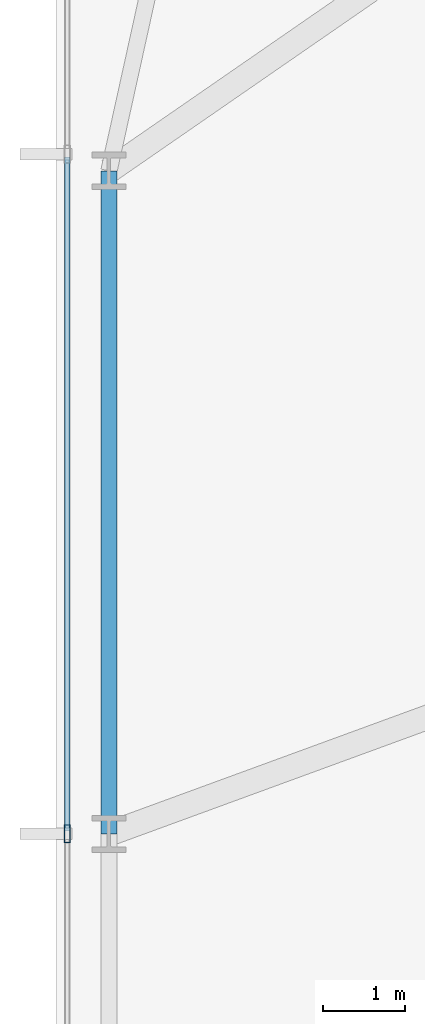
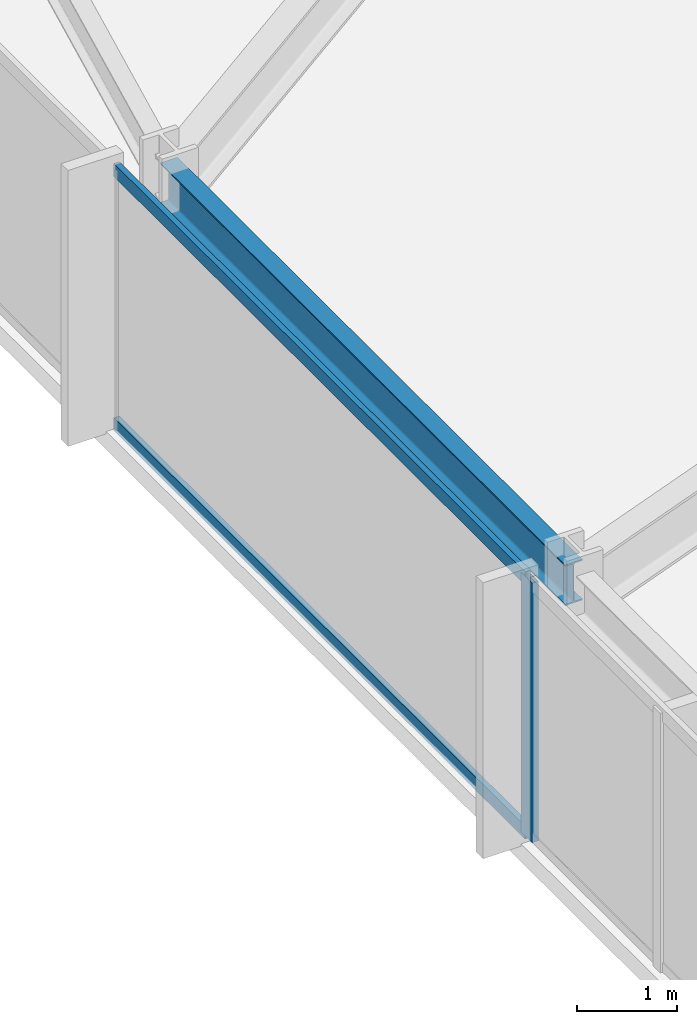
# One storey, part 7 of 33: 3 members, 1 beam, 1 element without a shape of its own.
"""IFC4 building model written with IfcOpenShell, lengths in metres."""

from ifc_helpers import new_model, si_unit, direction, frame, origin, origin_2d, place, context, subcontext, project, spatial, hollow_rectangle, i_section, extrude, material, material_profile, profile_set, type_object, element, aggregate, save


model = new_model("IFC4")

# Units and contexts
model_context = context("Model", 3, precision=1e-05, world=origin(), true_north=direction((0.0, 1.0)))
body_context = subcontext(model_context, "Body", "Model", "MODEL_VIEW")
ifc_project = project(units=[si_unit("LENGTHUNIT", "METRE"), si_unit("AREAUNIT", "SQUARE_METRE"), si_unit("VOLUMEUNIT", "CUBIC_METRE"), si_unit("PLANEANGLEUNIT", "RADIAN"), si_unit("MASSUNIT", "GRAM", prefix="KILO")], contexts=[model_context])

# Site, building, storey
site_placement = place(None, origin())
site = spatial("IfcSite", under=ifc_project, at=site_placement, CompositionType="ELEMENT")
building_placement = place(site_placement, origin())
building = spatial("IfcBuilding", under=site, at=building_placement, Name="Yelkora Congress Tower", CompositionType="ELEMENT")
storey_placement = place(building_placement, frame((0.0, 0.0, 54.199951171875)))
storey = spatial("IfcBuildingStorey", under=building, at=storey_placement, Name="L13", CompositionType="ELEMENT", Elevation=54.199951171875)

# Beam
ifc_material_1 = material(Name="Steel S355J2", Category="steel")
ifc_material_profile_1 = material_profile(ifc_material_1, i_section(OverallWidth=0.199951171875, OverallDepth=0.5, WebThickness=0.01025390625, FlangeThickness=0.01611328125, FilletRadius=0.02099609375, at=origin_2d()), Name="IPE 500")
ifc_profile_set_1 = profile_set([ifc_material_profile_1], Name="Steel S355J2")
beam_type = type_object("IfcBeamType", Name="BM-SPAN-IPE500", PredefinedType="SPANDREL", material=ifc_profile_set_1)
beam_placement = place(storey_placement, frame((6.64990234375, 37.52490234375, 2.929931640625), z_axis=(0.0, -1.0, 0.0), x_axis=(1.0, 0.0, 0.0)))
element("IfcBeam", 1, at=beam_placement, inside=storey, type_object=beam_type, Name="L13 Perimeter Beam 18", PredefinedType="SPANDREL", context=body_context, shape_type="SweptSolid", body=[
    extrude(i_section(OverallWidth=0.199951171875, OverallDepth=0.5, WebThickness=0.01025390625, FlangeThickness=0.01611328125, FilletRadius=0.02099609375, at=origin_2d()), origin(), (0.0, 0.0, 1.0), 8.125),
])

# Curtain wall, members
ifc_material_2 = material(Name="Anodised aluminium and insulated glass", Category="aluminium")
curtain_wall_type = type_object("IfcCurtainWallType", Name="CW-SYS-B1", PredefinedType="NOTDEFINED", material=ifc_material_2)
curtain_wall_placement = place(storey_placement, origin())
curtain_wall = element("IfcCurtainWall", 2, at=curtain_wall_placement, inside=storey, type_object=curtain_wall_type, Name="L13 Unitised Curtain Wall 5", PredefinedType="NOTDEFINED")
ifc_material_3 = material(Name="Anodised aluminium 6063-T6", Category="aluminium")
ifc_material_profile_2 = material_profile(ifc_material_3, hollow_rectangle(XDim=0.074951171875, YDim=0.219970703125, WallThickness=0.0048828125, at=origin_2d()), Name="ALU 75x220x5")
ifc_profile_set_2 = profile_set([ifc_material_profile_2], Name="Anodised aluminium 6063-T6")
member_type_1 = type_object("IfcMemberType", Name="MEM-ML-B1", PredefinedType="MULLION", material=ifc_profile_set_2)
member_1_placement = place(storey_placement, frame((6.139892578125, 29.39990234375, 0.0), z_axis=(0.0, 0.0, 1.0), x_axis=(-1.0, 0.0, 0.0)))
member_1 = element("IfcMember", 3, at=member_1_placement, type_object=member_type_1, Name="CW-B1 mullion 3", PredefinedType="MULLION", context=body_context, shape_type="SweptSolid", body=[
    extrude(hollow_rectangle(XDim=0.074951171875, YDim=0.219970703125, WallThickness=0.0048828125, at=origin_2d()), origin(), (0.0, 0.0, 1.0), 3.179931640625),
])
ifc_material_profile_3 = material_profile(ifc_material_3, hollow_rectangle(XDim=0.06494140625, YDim=0.159912109375, WallThickness=0.00390625, at=origin_2d()), Name="ALU 65x160x4")
ifc_profile_set_3 = profile_set([ifc_material_profile_3], Name="Anodised aluminium 6063-T6")
member_type_2 = type_object("IfcMemberType", Name="MEM-TR-B1", PredefinedType="USERDEFINED", material=ifc_profile_set_3)
member_2_placement = place(storey_placement, frame((6.139892578125, 29.4375, 0.032470703125), z_axis=(0.0, 1.0, 0.0), x_axis=(-1.0, 0.0, 0.0)))
member_2 = element("IfcMember", 4, at=member_2_placement, type_object=member_type_2, Name="CW-B1 transom 3.1", ObjectType="TRANSOM", PredefinedType="USERDEFINED", context=body_context, shape_type="SweptSolid", body=[
    extrude(hollow_rectangle(XDim=0.06494140625, YDim=0.159912109375, WallThickness=0.00390625, at=origin_2d()), origin(), (0.0, 0.0, 1.0), 8.2548828125),
])
member_3_placement = place(storey_placement, frame((6.139892578125, 29.4375, 3.1474609375), z_axis=(0.0, 1.0, 0.0), x_axis=(-1.0, 0.0, 0.0)))
member_3 = element("IfcMember", 5, at=member_3_placement, type_object=member_type_2, Name="CW-B1 transom 3.2", ObjectType="TRANSOM", PredefinedType="USERDEFINED", context=body_context, shape_type="SweptSolid", body=[
    extrude(hollow_rectangle(XDim=0.06494140625, YDim=0.159912109375, WallThickness=0.00390625, at=origin_2d()), origin(), (0.0, 0.0, 1.0), 8.2548828125),
])
aggregate(curtain_wall, [member_1, member_2, member_3])

save(model, "model.ifc")
